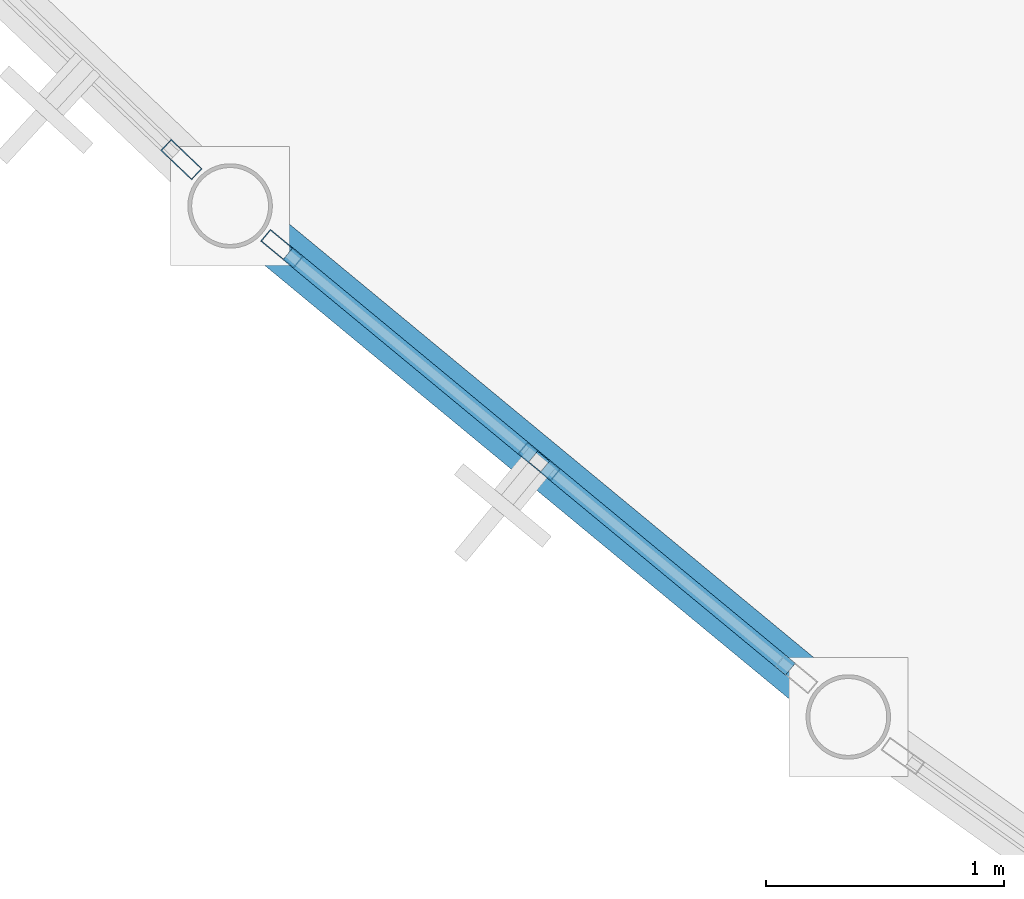
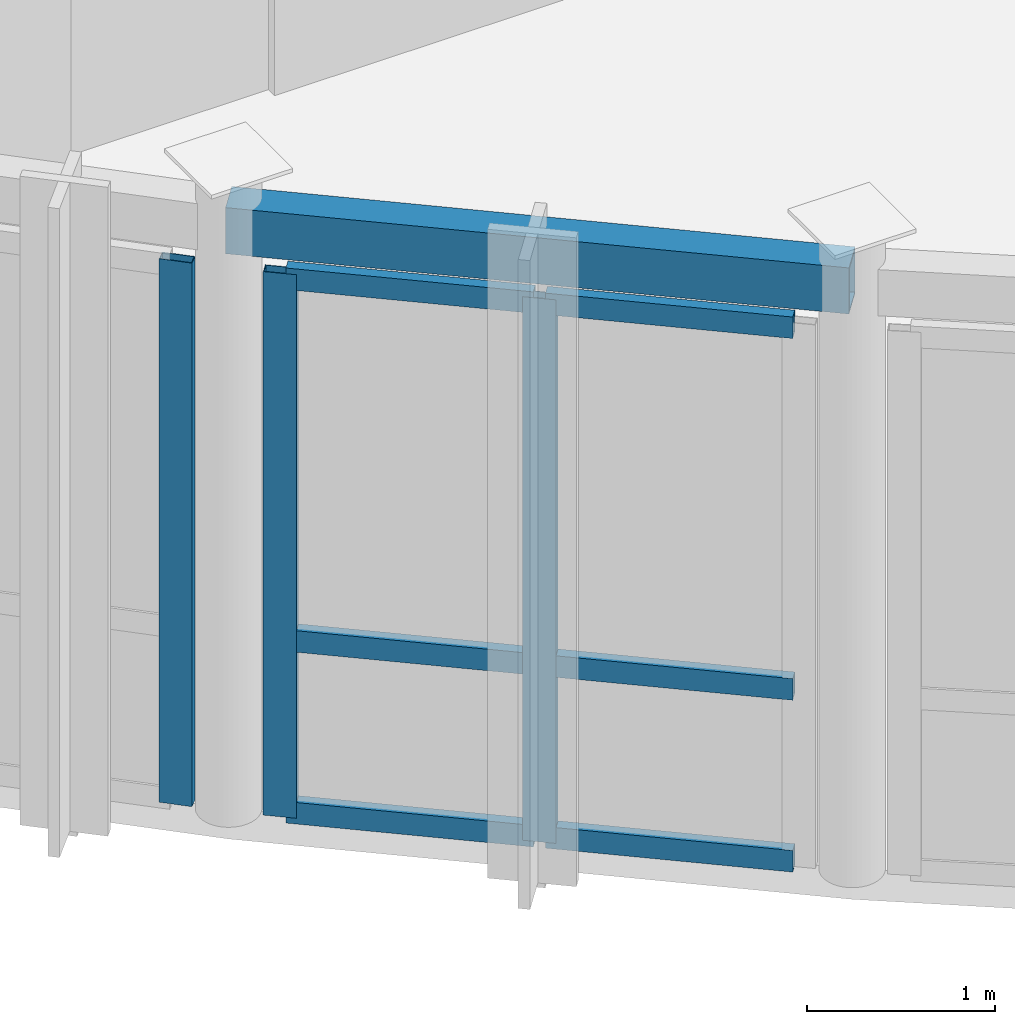
# One storey, part 7 of 26: 9 members, 1 beam, 2 elements without a shape of their own.
"""IFC4 building model written with IfcOpenShell, lengths in metres."""

from ifc_helpers import new_model, si_unit, direction, frame, origin, origin_2d, place, context, subcontext, project, spatial, hollow_rectangle, extrude, material, layer, layer_set, material_profile, profile_set, type_object, element, aggregate, save


model = new_model("IFC4")

# Units and contexts
model_context = context("Model", 3, precision=1e-05, world=origin(), true_north=direction((0.0, 1.0)))
body_context = subcontext(model_context, "Body", "Model", "MODEL_VIEW")
ifc_project = project(units=[si_unit("LENGTHUNIT", "METRE"), si_unit("AREAUNIT", "SQUARE_METRE"), si_unit("VOLUMEUNIT", "CUBIC_METRE"), si_unit("PLANEANGLEUNIT", "RADIAN"), si_unit("MASSUNIT", "GRAM", prefix="KILO")], contexts=[model_context])

# Site, building, storey
site_placement = place(None, origin())
site = spatial("IfcSite", under=ifc_project, at=site_placement, CompositionType="ELEMENT")
building_placement = place(site_placement, origin())
building = spatial("IfcBuilding", under=site, at=building_placement, Name="Selat Folded Stagehouse", CompositionType="ELEMENT")
storey_placement = place(building_placement, frame((0.0, 0.0, 23.39990234375)))
storey = spatial("IfcBuildingStorey", under=building, at=storey_placement, Name="L05", CompositionType="ELEMENT", Elevation=23.39990234375)

# Curtain wall, member
ifc_material_1 = material(Name="Aluminium 6063-T6", Category="aluminium")
ifc_layer = layer(ifc_material_1, 0.18505859375)
ifc_layer_set = layer_set([ifc_layer], Name="Aluminium 6063-T6")
curtain_wall_type = type_object("IfcCurtainWallType", Name="CW-DRM-UPPER", PredefinedType="NOTDEFINED", material=ifc_layer_set)
curtain_wall_1_placement = place(storey_placement, origin())
curtain_wall_1 = element("IfcCurtainWall", 1, at=curtain_wall_1_placement, inside=storey, type_object=curtain_wall_type, Name="L05 curtain wall CW-DRM-L05-13", PredefinedType="NOTDEFINED")
ifc_material_profile_1 = material_profile(ifc_material_1, hollow_rectangle(XDim=0.06494140625, YDim=0.179931640625, WallThickness=0.00390625, at=origin_2d()), Name="ALU 180x65x4.0")
ifc_profile_set_1 = profile_set([ifc_material_profile_1], Name="Aluminium 6063-T6")
member_type_1 = type_object("IfcMemberType", Name="CWM-MUL-180x65", PredefinedType="MULLION", material=ifc_profile_set_1)
member_1_placement = place(storey_placement, frame((15.932373046875, 12.295654296875, 0.0), z_axis=(0.0, 0.0, 1.0), x_axis=(-0.689661264636, -0.724132128869, 0.0)))
member_1 = element("IfcMember", 2, at=member_1_placement, type_object=member_type_1, Name="CW-03 mullion 1", PredefinedType="MULLION", context=body_context, shape_type="SweptSolid", body=[
    extrude(hollow_rectangle(XDim=0.06494140625, YDim=0.179931640625, WallThickness=0.00390625, at=origin_2d()), origin(), (0.0, 0.0, 1.0), 3.53515625),
])
aggregate(curtain_wall_1, [member_1])

# Curtain wall, members
curtain_wall_2_placement = place(storey_placement, origin())
curtain_wall_2 = element("IfcCurtainWall", 3, at=curtain_wall_2_placement, inside=storey, type_object=curtain_wall_type, Name="L05 curtain wall CW-DRM-L05-14", PredefinedType="NOTDEFINED")
member_2_placement = place(storey_placement, frame((17.435302734375, 11.027587890625, 0.0), z_axis=(0.0, 0.0, 1.0), x_axis=(-0.637141737734, -0.770746654899, 0.0)))
member_2 = element("IfcMember", 4, at=member_2_placement, type_object=member_type_1, Name="CW-03 mullion 2", PredefinedType="MULLION", context=body_context, shape_type="SweptSolid", body=[
    extrude(hollow_rectangle(XDim=0.06494140625, YDim=0.179931640625, WallThickness=0.00390625, at=origin_2d()), origin(), (0.0, 0.0, 1.0), 3.53515625),
])
member_3_placement = place(storey_placement, frame((16.354736328125, 11.9208984375, 0.0), z_axis=(0.0, 0.0, 1.0), x_axis=(-0.637141737734, -0.770746654899, 0.0)))
member_3 = element("IfcMember", 5, at=member_3_placement, type_object=member_type_1, Name="CW-03 mullion 3", PredefinedType="MULLION", context=body_context, shape_type="SweptSolid", body=[
    extrude(hollow_rectangle(XDim=0.06494140625, YDim=0.179931640625, WallThickness=0.00390625, at=origin_2d()), origin(), (0.0, 0.0, 1.0), 3.53515625),
])
ifc_material_profile_2 = material_profile(ifc_material_1, hollow_rectangle(XDim=0.06494140625, YDim=0.139892578125, WallThickness=0.00390625, at=origin_2d()), Name="ALU 140x65x4.0")
ifc_profile_set_2 = profile_set([ifc_material_profile_2], Name="Aluminium 6063-T6")
member_type_2 = type_object("IfcMemberType", Name="CWM-TRN-140x65", PredefinedType="USERDEFINED", material=ifc_profile_set_2)
member_4_placement = place(storey_placement, frame((18.49072265625, 10.155029296875, 0.03271484375), z_axis=(-0.770700463685, 0.637197610852, 0.0), x_axis=(-0.637197610852, -0.770700463685, 0.0)))
member_4 = element("IfcMember", 6, at=member_4_placement, type_object=member_type_2, Name="CW-03 transom 1.1", ObjectType="TRANSOM", PredefinedType="USERDEFINED", context=body_context, shape_type="SweptSolid", body=[
    extrude(hollow_rectangle(XDim=0.06494140625, YDim=0.139892578125, WallThickness=0.00390625, at=origin_2d()), origin(), (0.0, 0.0, 1.0), 1.3369140625),
])
member_5_placement = place(storey_placement, frame((18.49072265625, 10.155029296875, 1.150146484375), z_axis=(-0.770700463685, 0.637197610852, 0.0), x_axis=(-0.637197610852, -0.770700463685, 0.0)))
member_5 = element("IfcMember", 7, at=member_5_placement, type_object=member_type_2, Name="CW-03 transom 1.2", ObjectType="TRANSOM", PredefinedType="USERDEFINED", context=body_context, shape_type="SweptSolid", body=[
    extrude(hollow_rectangle(XDim=0.06494140625, YDim=0.139892578125, WallThickness=0.00390625, at=origin_2d()), origin(), (0.0, 0.0, 1.0), 1.3369140625),
])
member_6_placement = place(storey_placement, frame((18.49072265625, 10.155029296875, 3.502685546875), z_axis=(-0.770700463685, 0.637197610852, 0.0), x_axis=(-0.637197610852, -0.770700463685, 0.0)))
member_6 = element("IfcMember", 8, at=member_6_placement, type_object=member_type_2, Name="CW-03 transom 1.3", ObjectType="TRANSOM", PredefinedType="USERDEFINED", context=body_context, shape_type="SweptSolid", body=[
    extrude(hollow_rectangle(XDim=0.06494140625, YDim=0.139892578125, WallThickness=0.00390625, at=origin_2d()), origin(), (0.0, 0.0, 1.0), 1.3369140625),
])
member_7_placement = place(storey_placement, frame((17.41015625, 11.04833984375, 0.03271484375), z_axis=(-0.770700463685, 0.637197610852, 0.0), x_axis=(-0.637197610852, -0.770700463685, 0.0)))
member_7 = element("IfcMember", 9, at=member_7_placement, type_object=member_type_2, Name="CW-03 transom 2.1", ObjectType="TRANSOM", PredefinedType="USERDEFINED", context=body_context, shape_type="SweptSolid", body=[
    extrude(hollow_rectangle(XDim=0.06494140625, YDim=0.139892578125, WallThickness=0.00390625, at=origin_2d()), origin(), (0.0, 0.0, 1.0), 1.3369140625),
])
member_8_placement = place(storey_placement, frame((17.41015625, 11.04833984375, 1.150146484375), z_axis=(-0.770700463685, 0.637197610852, 0.0), x_axis=(-0.637197610852, -0.770700463685, 0.0)))
member_8 = element("IfcMember", 10, at=member_8_placement, type_object=member_type_2, Name="CW-03 transom 2.2", ObjectType="TRANSOM", PredefinedType="USERDEFINED", context=body_context, shape_type="SweptSolid", body=[
    extrude(hollow_rectangle(XDim=0.06494140625, YDim=0.139892578125, WallThickness=0.00390625, at=origin_2d()), origin(), (0.0, 0.0, 1.0), 1.3369140625),
])
member_9_placement = place(storey_placement, frame((17.41015625, 11.04833984375, 3.502685546875), z_axis=(-0.770700463685, 0.637197610852, 0.0), x_axis=(-0.637197610852, -0.770700463685, 0.0)))
member_9 = element("IfcMember", 11, at=member_9_placement, type_object=member_type_2, Name="CW-03 transom 2.3", ObjectType="TRANSOM", PredefinedType="USERDEFINED", context=body_context, shape_type="SweptSolid", body=[
    extrude(hollow_rectangle(XDim=0.06494140625, YDim=0.139892578125, WallThickness=0.00390625, at=origin_2d()), origin(), (0.0, 0.0, 1.0), 1.3369140625),
])
aggregate(curtain_wall_2, [member_2, member_3, member_4, member_5, member_6, member_7, member_8, member_9])

# Beam
ifc_material_2 = material(Name="Steel S355", Category="steel")
ifc_material_profile_3 = material_profile(ifc_material_2, hollow_rectangle(XDim=0.199951171875, YDim=0.300048828125, WallThickness=0.012451171875, at=origin_2d()), Name="RHS 300x200x12.5")
ifc_profile_set_3 = profile_set([ifc_material_profile_3], Name="Steel S355")
beam_type = type_object("IfcBeamType", Name="SPD-RHS-300x200", PredefinedType="SPANDREL", material=ifc_profile_set_3)
beam_placement = place(storey_placement, frame((16.136962890625, 12.100830078125, 3.8251953125), z_axis=(0.770757502018, -0.637128615809, 0.0), x_axis=(0.637128615809, 0.770757502018, 0.0)))
element("IfcBeam", 12, at=beam_placement, inside=storey, type_object=beam_type, Name="L05 curved drum spandrel beam 15", PredefinedType="SPANDREL", context=body_context, shape_type="SweptSolid", body=[
    extrude(hollow_rectangle(XDim=0.199951171875, YDim=0.300048828125, WallThickness=0.012451171875, at=origin_2d()), origin(), (0.0, 0.0, 1.0), 3.368896484375),
])

save(model, "model.ifc")
